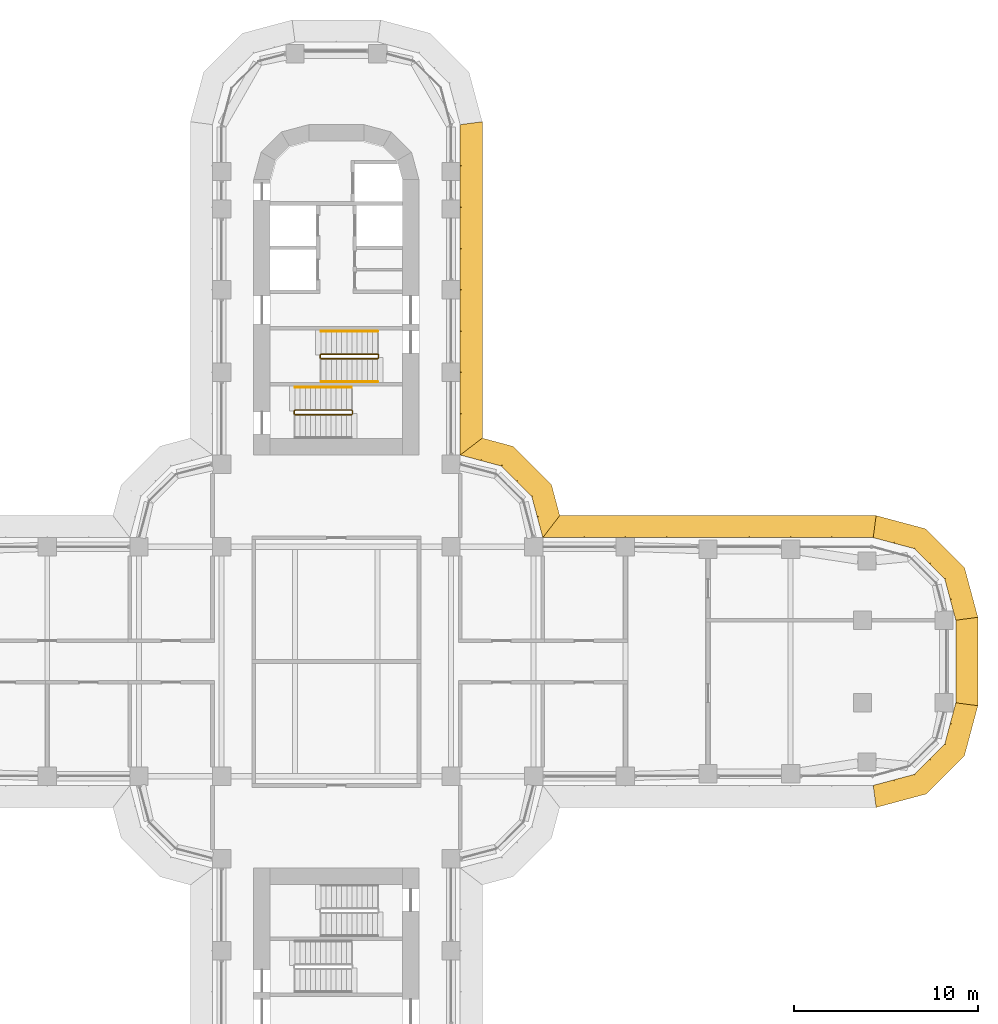
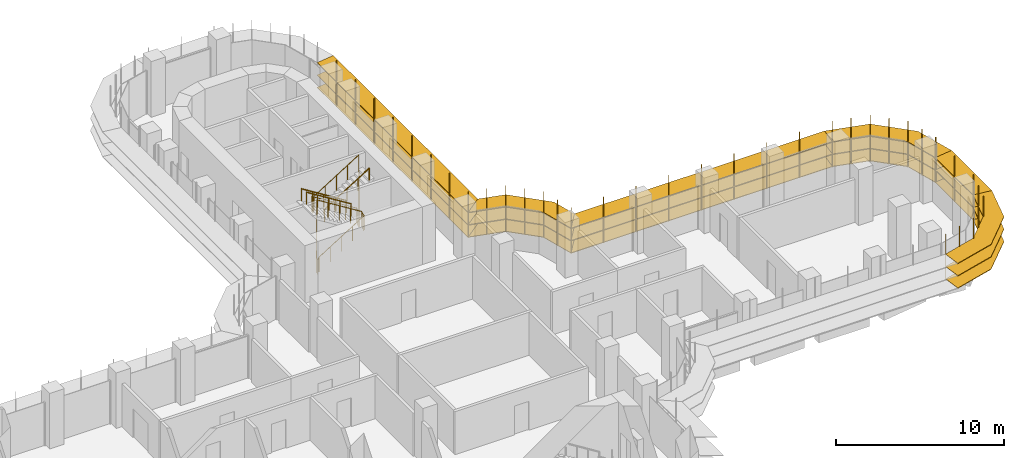
# One storey, part 22 of 23: 6 shading devices, 5 railings.
"""IFC4 building model written with IfcOpenShell, lengths in metres."""

import ifcopenshell
import ifcopenshell.guid

model = None  # the IFC model being written
_history = None  # IfcOwnerHistory: only IFC2X3 demands one
_inside = {}  # id of a spatial element -> (the spatial element, [elements in it])
_under = {}  # id of a project, library or spatial element -> (it, [spatial elements below it])
_declared = {}  # id of a project -> (the project, [libraries it declares])
_typed = {}  # id of a type object -> (the type object, [elements of that type])
_made_of = {}  # id of a material, layer set ... -> (it, [elements and type objects made of it])


def new_model(schema):
    """Start an empty IFC model of exactly this schema.

    Asked for "IFC4X3", IfcOpenShell would pick the latest addendum, in which some entities
    have other attributes; the version numbers below select the first issue.
    IFC2X3 requires an IfcOwnerHistory on every rooted entity: one is made here for all.
    """
    global model, _history
    if schema == "IFC4X3":
        model = ifcopenshell.file(schema_version=(4, 3, 0, 0))
    else:
        model = ifcopenshell.file(schema=schema)
    _inside.clear()
    _under.clear()
    _declared.clear()
    _typed.clear()
    _made_of.clear()
    _history = None
    if model.schema == "IFC2X3":
        org = make("IfcOrganization", Name="unknown")
        user = make(
            "IfcPersonAndOrganization",
            ThePerson=make("IfcPerson", FamilyName="unknown"),
            TheOrganization=org,
        )
        app = make(
            "IfcApplication",
            ApplicationDeveloper=org,
            Version="unknown",
            ApplicationFullName="unknown",
            ApplicationIdentifier="unknown",
        )
        _history = make(
            "IfcOwnerHistory",
            OwningUser=user,
            OwningApplication=app,
            ChangeAction="ADDED",
            CreationDate=0,
        )
    return model


def make(cls, **values):
    """One entity of the class cls with the attributes given. An attribute that is None is left unset."""
    return model.create_entity(
        cls, **{name: value for name, value in values.items() if value is not None}
    )


def rooted(cls, **values):
    """An entity with a GlobalId (a new one), such as an element, a storey or a relation."""
    return make(cls, GlobalId=ifcopenshell.guid.new(), OwnerHistory=_history, **values)


def si_unit(unit_type, name, prefix=None):
    """IfcSIUnit, for example si_unit("LENGTHUNIT", "METRE", prefix="MILLI")."""
    return make("IfcSIUnit", UnitType=unit_type, Prefix=prefix, Name=name)


def assignment(units):
    """IfcUnitAssignment: the units of a project."""
    return None if units is None else make("IfcUnitAssignment", Units=units)


def point(xyz):
    """IfcCartesianPoint."""
    return None if xyz is None else make("IfcCartesianPoint", Coordinates=xyz)


def direction(xyz):
    """IfcDirection."""
    return None if xyz is None else make("IfcDirection", DirectionRatios=xyz)


def frame(location, z_axis=None, x_axis=None):
    """IfcAxis2Placement3D, a coordinate frame: its origin and axes. An axis left out is left unset."""
    return make(
        "IfcAxis2Placement3D",
        Location=point(location),
        Axis=direction(z_axis),
        RefDirection=direction(x_axis),
    )


def frame_2d(location, x_axis=None):
    """IfcAxis2Placement2D, a coordinate frame in the plane: its origin and x axis."""
    return make(
        "IfcAxis2Placement2D", Location=point(location), RefDirection=direction(x_axis)
    )


def origin():
    """The frame at (0, 0, 0) with its axes left unset."""
    return frame((0.0, 0.0, 0.0))


def origin_2d():
    """The frame at (0, 0) in the plane with its x axis left unset."""
    return frame_2d((0.0, 0.0))


def place(relative_to, where):
    """IfcLocalPlacement: puts the frame where relative to a parent placement (None: the world)."""
    return make(
        "IfcLocalPlacement", PlacementRelTo=relative_to, RelativePlacement=where
    )


def context(
    kind, dimensions, precision=None, world=None, true_north=None, identifier=None
):
    """IfcGeometricRepresentationContext, for example the 3D "Model" context."""
    return make(
        "IfcGeometricRepresentationContext",
        ContextIdentifier=identifier,
        ContextType=kind,
        CoordinateSpaceDimension=dimensions,
        Precision=precision,
        WorldCoordinateSystem=world,
        TrueNorth=true_north,
    )


def subcontext(parent, identifier, kind, view, scale=None):
    """IfcGeometricRepresentationSubContext, for example "Body" below "Model"."""
    return make(
        "IfcGeometricRepresentationSubContext",
        ContextIdentifier=identifier,
        ContextType=kind,
        ParentContext=parent,
        TargetScale=scale,
        TargetView=view,
    )


def project(units=None, contexts=None):
    """IfcProject with its units and contexts."""
    return rooted(
        "IfcProject",
        Name="project",
        RepresentationContexts=contexts,
        UnitsInContext=assignment(units),
    )


def spatial(cls, under=None, at=None, **own):
    """A site, building, storey or space (cls), placed at a placement, below another one or the project."""
    s = rooted(cls, ObjectPlacement=at, **own)
    if under is not None:
        _under.setdefault(under.id(), (under, []))[1].append(s)
    return s


def polyline(points):
    """IfcPolyline through the points."""
    return make("IfcPolyline", Points=[point(p) for p in points])


def profile(cls, at=None, kind="AREA", **sizes):
    """A parametric profile (cls). Its sizes go by their IFC names, for example OverallWidth=200.0."""
    return make(cls, ProfileType=kind, Position=at, **sizes)


def circle(**sizes):
    """IfcCircleProfileDef."""
    return profile("IfcCircleProfileDef", **sizes)


def outline(outer, holes=None, kind="AREA"):
    """IfcArbitraryClosedProfileDef: a profile drawn as a closed curve; with holes, ...WithVoids."""
    if holes is None:
        return make("IfcArbitraryClosedProfileDef", ProfileType=kind, OuterCurve=outer)
    return make(
        "IfcArbitraryProfileDefWithVoids",
        ProfileType=kind,
        OuterCurve=outer,
        InnerCurves=holes,
    )


def extrude(swept, where, along, depth):
    """IfcExtrudedAreaSolid: the profile swept, set in the frame where, extruded along a direction by depth."""
    return make(
        "IfcExtrudedAreaSolid",
        SweptArea=swept,
        Position=where,
        ExtrudedDirection=direction(along),
        Depth=depth,
    )


def faces_of(points, faces, orient=None, outer=None):
    """IfcFace entities. A face is a list of loops; a loop is a list of indices into points, from 0.

    orient and outer hold one flag for each loop. By default every Orientation is true, the
    first loop of a face is its IfcFaceOuterBound and the others are IfcFaceBound.
    """
    made = []
    for i, loops in enumerate(faces):
        bounds = []
        for j, loop in enumerate(loops):
            is_outer = j == 0 if outer is None else outer[i][j]
            bounds.append(
                make(
                    "IfcFaceOuterBound" if is_outer else "IfcFaceBound",
                    Bound=make("IfcPolyLoop", Polygon=[points[k] for k in loop]),
                    Orientation=True if orient is None else orient[i][j],
                )
            )
        made.append(make("IfcFace", Bounds=bounds))
    return made


def faceted_brep(points, faces, orient=None, outer=None, voids=None):
    """IfcFacetedBrep: a solid bounded by flat faces; with voids (closed shells), ...WithVoids."""
    shared = [point(p) for p in points]
    hull = make("IfcClosedShell", CfsFaces=faces_of(shared, faces, orient, outer))
    if voids is None:
        return make("IfcFacetedBrep", Outer=hull)
    return make(
        "IfcFacetedBrepWithVoids",
        Outer=hull,
        Voids=[
            make(cls, CfsFaces=faces_of(shared, fs, o, b)) for cls, fs, o, b in voids
        ],
    )


def shape(context_of_items, identifier, shape_type, items):
    """IfcShapeRepresentation: the items that make up one representation, for example the "Body"."""
    return make(
        "IfcShapeRepresentation",
        ContextOfItems=context_of_items,
        RepresentationIdentifier=identifier,
        RepresentationType=shape_type,
        Items=items,
    )


def source(mapping_origin, context_of_items, identifier, shape_type, items):
    """IfcRepresentationMap: a shape defined once, which mapped items show again and again."""
    return make(
        "IfcRepresentationMap",
        MappingOrigin=mapping_origin,
        MappedRepresentation=shape(context_of_items, identifier, shape_type, items),
    )


def transform(
    local_origin,
    x_axis=None,
    y_axis=None,
    z_axis=None,
    scale=None,
    scale2=None,
    scale3=None,
    uniform=True,
):
    """IfcCartesianTransformationOperator3D, or its non-uniform kind. x_axis, y_axis, z_axis: its Axis1, 2, 3."""
    if uniform:
        return make(
            "IfcCartesianTransformationOperator3D",
            Axis1=direction(x_axis),
            Axis2=direction(y_axis),
            LocalOrigin=point(local_origin),
            Scale=scale,
            Axis3=direction(z_axis),
        )
    return make(
        "IfcCartesianTransformationOperator3DnonUniform",
        Axis1=direction(x_axis),
        Axis2=direction(y_axis),
        LocalOrigin=point(local_origin),
        Scale=scale,
        Axis3=direction(z_axis),
        Scale2=scale2,
        Scale3=scale3,
    )


def mapped(mapping_source, mapping_target):
    """IfcMappedItem: shows the shape of a source again, moved by a transform."""
    return make(
        "IfcMappedItem", MappingSource=mapping_source, MappingTarget=mapping_target
    )


def material(Name=None, Category=None):
    """IfcMaterial."""
    return make("IfcMaterial", Name=Name, Category=Category)


def made_of(thing, what):
    """Note that an element or type object is made of a material, layer set ...; save() writes the relation."""
    if what is not None:
        _made_of.setdefault(what.id(), (what, []))[1].append(thing)
    return thing


def type_object(cls, material=None, **own):
    """A type object (cls), such as IfcWallType, which elements share."""
    return made_of(rooted(cls, **own), material)


def element(
    cls,
    number,
    at=None,
    inside=None,
    cuts=None,
    type_object=None,
    material=None,
    context=None,
    identifier="Body",
    shape_type=None,
    held_by="IfcProductDefinitionShape",
    body=None,
    shapes=None,
    **own,
):
    """One element of the class cls, such as IfcWall. Its Tag is "e" and its number.

    at: its placement. inside: the storey or other place that contains it. cuts: it is an
    opening in that element (IfcRelVoidsElement). A single representation is given by context,
    identifier, shape_type and body (its items); several are given by shapes. held_by: the class
    of the entity that holds the representations. save() writes the other relations.
    """
    e = rooted(cls, Tag="e%d" % number, ObjectPlacement=at, **own)
    if body is not None:
        shapes = [shape(context, identifier, shape_type, body)]
    if shapes is not None:
        e.Representation = make(held_by, Representations=shapes)
    if inside is not None:
        _inside.setdefault(inside.id(), (inside, []))[1].append(e)
    if cuts is not None:
        rooted(
            "IfcRelVoidsElement", RelatingBuildingElement=cuts, RelatedOpeningElement=e
        )
    if type_object is not None:
        _typed.setdefault(type_object.id(), (type_object, []))[1].append(e)
    return made_of(e, material)


def aggregate(whole, parts):
    """IfcRelAggregates: a whole, such as a stair, and the parts it consists of."""
    return rooted("IfcRelAggregates", RelatingObject=whole, RelatedObjects=parts)


def save(model, path):
    """Write the relations noted so far, then the file.

    IfcRelAggregates (storeys below a building ...), IfcRelContainedInSpatialStructure (elements
    in a storey), IfcRelDefinesByType, IfcRelAssociatesMaterial and IfcRelDeclares: one each for
    every whole, place, type object, material and project.
    """
    for whole, parts in _under.values():
        aggregate(whole, parts)
    for where, things in _inside.values():
        rooted(
            "IfcRelContainedInSpatialStructure",
            RelatedElements=things,
            RelatingStructure=where,
        )
    for kind, things in _typed.values():
        rooted("IfcRelDefinesByType", RelatedObjects=things, RelatingType=kind)
    for what, things in _made_of.values():
        rooted("IfcRelAssociatesMaterial", RelatedObjects=things, RelatingMaterial=what)
    for by, libraries in _declared.values():
        rooted("IfcRelDeclares", RelatingContext=by, RelatedDefinitions=libraries)
    model.write(path)


model = new_model("IFC4")

# Units and contexts
model_context = context("Model", 3, precision=1e-05, world=origin(), true_north=direction((0.0, 1.0)))
body_context = subcontext(model_context, "Body", "Model", "MODEL_VIEW")
ifc_project = project(units=[si_unit("LENGTHUNIT", "METRE"), si_unit("AREAUNIT", "SQUARE_METRE"), si_unit("VOLUMEUNIT", "CUBIC_METRE"), si_unit("PLANEANGLEUNIT", "RADIAN"), si_unit("MASSUNIT", "GRAM", prefix="KILO")], contexts=[model_context])

# Site, building, storey
site_placement = place(None, origin())
site = spatial("IfcSite", under=ifc_project, at=site_placement, CompositionType="ELEMENT")
building_placement = place(site_placement, origin())
building = spatial("IfcBuilding", under=site, at=building_placement, Name="Zarbagh Exchange Tower", CompositionType="ELEMENT")
storey_placement = place(building_placement, frame((0.0, 0.0, 43.800048828125)))
storey = spatial("IfcBuildingStorey", under=building, at=storey_placement, Name="L09", CompositionType="ELEMENT", Elevation=43.800048828125)

# Railings
ifc_material_1 = material(Name="Stainless steel", Category="steel")
railing_type_1 = type_object("IfcRailingType", Name="Stair guard 1100 mm", PredefinedType="GUARDRAIL", material=ifc_material_1)
railing_1_placement = place(storey_placement, frame((-0.830078125, 16.5, 2.27490234375)))
element("IfcRailing", 1, at=railing_1_placement, inside=storey, type_object=railing_type_1, Name="ST1 stair guard 1", PredefinedType="GUARDRAIL", context=body_context, shape_type="SweptSolid", body=[
    extrude(circle(Radius=0.02392578125, at=origin_2d()), frame((0.0, 0.0, 1.076171875), z_axis=(0.847998304005, 0.0, 0.529998940003), x_axis=(0.0, 1.0, 0.0)), (0.0, 0.0, 1.0), 3.632080078125),
    extrude(circle(Radius=0.02392578125, at=origin_2d()), frame((3.080078125, 0.0, 3.0009765625), z_axis=(0.011914834358, 0.011914834358, -0.999858026644), x_axis=(-0.707106781187, 0.707106781187, 0.0)), (0.0, 0.0, 1.0), 4.200439453125),
    extrude(circle(Radius=0.02392578125, at=origin_2d()), frame((3.130126953125, 0.050048828125, -1.19873046875), z_axis=(0.0, 1.0, 0.0), x_axis=(-1.0, 0.0, 0.0)), (0.0, 0.0, 1.0), 0.14990234375),
    extrude(circle(Radius=0.02392578125, at=origin_2d()), frame((3.130126953125, 0.199951171875, -1.19873046875), z_axis=(-0.265065253269, 0.265065253269, 0.927081885822), x_axis=(-0.707106781187, -0.707106781187, 0.0)), (0.0, 0.0, 1.0), 0.188720703125),
    extrude(circle(Radius=0.02392578125, at=origin_2d()), frame((3.080078125, 0.25, -1.02392578125), z_axis=(-0.848028513186, 0.0, 0.529950602248), x_axis=(0.0, -1.0, 0.0)), (0.0, 0.0, 1.0), 3.632080078125),
    extrude(circle(Radius=0.02392578125, at=origin_2d()), frame((0.0, 0.25, 0.90087890625), z_axis=(-0.705375805398, -0.708833529934, 0.0), x_axis=(0.708833529934, -0.705375805398, 0.0)), (0.0, 0.0, 1.0), 0.070556640625),
    extrude(circle(Radius=0.02392578125, at=origin_2d()), frame((-0.0498046875, 0.199951171875, 0.90087890625), z_axis=(0.0, -1.0, 0.0), x_axis=(1.0, 0.0, 0.0)), (0.0, 0.0, 1.0), 0.14990234375),
    extrude(circle(Radius=0.02099609375, at=origin_2d()), origin(), (0.0, 0.0, 1.0), 1.052001953125),
    extrude(circle(Radius=0.02099609375, at=origin_2d()), frame((0.77001953125, 0.0, 0.481201171875)), (0.0, 0.0, 1.0), 1.052001953125),
    extrude(circle(Radius=0.02099609375, at=origin_2d()), frame((1.5400390625, 0.0, 0.96240234375)), (0.0, 0.0, 1.0), 1.052001953125),
    extrude(circle(Radius=0.02099609375, at=origin_2d()), frame((2.31005859375, 0.0, 1.44384765625)), (0.0, 0.0, 1.0), 1.052001953125),
    extrude(circle(Radius=0.02099609375, at=origin_2d()), frame((3.080078125, 0.0, 1.925048828125)), (0.0, 0.0, 1.0), 1.052001953125),
    extrude(circle(Radius=0.02099609375, at=origin_2d()), frame((3.092529296875, 0.012451171875, 0.875)), (0.0, 0.0, 1.0), 1.052001953125),
    extrude(circle(Radius=0.02099609375, at=origin_2d()), frame((3.10498046875, 0.02490234375, -0.1748046875)), (0.0, 0.0, 1.0), 1.052001953125),
    extrude(circle(Radius=0.02099609375, at=origin_2d()), frame((3.11767578125, 0.03759765625, -1.224853515625)), (0.0, 0.0, 1.0), 1.052001953125),
    extrude(circle(Radius=0.02099609375, at=origin_2d()), frame((3.130126953125, 0.050048828125, -2.27490234375)), (0.0, 0.0, 1.0), 1.052001953125),
    extrude(circle(Radius=0.02099609375, at=origin_2d()), frame((3.130126953125, 0.199951171875, -2.27490234375)), (0.0, 0.0, 1.0), 1.052001953125),
    extrude(circle(Radius=0.02099609375, at=origin_2d()), frame((3.080078125, 0.25, -2.099853515625)), (0.0, 0.0, 1.0), 1.052001953125),
    extrude(circle(Radius=0.02099609375, at=origin_2d()), frame((2.31005859375, 0.25, -1.61865234375)), (0.0, 0.0, 1.0), 1.052001953125),
    extrude(circle(Radius=0.02099609375, at=origin_2d()), frame((1.5400390625, 0.25, -1.137451171875)), (0.0, 0.0, 1.0), 1.052001953125),
    extrude(circle(Radius=0.02099609375, at=origin_2d()), frame((0.77001953125, 0.25, -0.65625)), (0.0, 0.0, 1.0), 1.052001953125),
    extrude(circle(Radius=0.02099609375, at=origin_2d()), frame((0.0, 0.25, -0.175048828125)), (0.0, 0.0, 1.0), 1.052001953125),
    extrude(circle(Radius=0.02099609375, at=origin_2d()), frame((-0.0498046875, 0.199951171875, -0.175048828125)), (0.0, 0.0, 1.0), 1.052001953125),
    extrude(circle(Radius=0.02099609375, at=origin_2d()), frame((-0.0498046875, 0.050048828125, -0.175048828125)), (0.0, 0.0, 1.0), 1.052001953125),
])
railing_2_placement = place(storey_placement, frame((0.8798828125, 13.5, 2.099853515625)))
element("IfcRailing", 2, at=railing_2_placement, inside=storey, type_object=railing_type_1, Name="ST2 stair guard 1", PredefinedType="GUARDRAIL", context=body_context, shape_type="SweptSolid", body=[
    extrude(circle(Radius=0.02392578125, at=origin_2d()), frame((0.0, 0.0, 1.076171875), z_axis=(0.0, 1.0, 0.0), x_axis=(-1.0, 0.0, 0.0)), (0.0, 0.0, 1.0), 0.14990234375),
    extrude(circle(Radius=0.02392578125, at=origin_2d()), frame((0.0, 0.14990234375, 1.076171875), z_axis=(-0.263862480399, 0.265155923931, 0.927399011991), x_axis=(-0.708833529934, -0.705375805398, 0.0)), (0.0, 0.0, 1.0), 0.188720703125),
    extrude(circle(Radius=0.02392578125, at=origin_2d()), frame((-0.0498046875, 0.199951171875, 1.2509765625), z_axis=(-0.847998304005, 0.0, 0.529998940003), x_axis=(0.0, -1.0, 0.0)), (0.0, 0.0, 1.0), 3.632080078125),
    extrude(circle(Radius=0.02392578125, at=origin_2d()), frame((-3.1298828125, 0.199951171875, 3.17626953125), z_axis=(-0.011914834358, -0.011914834358, -0.999858026644), x_axis=(0.707106781187, -0.707106781187, 0.0)), (0.0, 0.0, 1.0), 4.200439453125),
    extrude(circle(Radius=0.02392578125, at=origin_2d()), frame((-3.179931640625, 0.14990234375, -1.02392578125), z_axis=(0.0, -1.0, 0.0), x_axis=(1.0, 0.0, 0.0)), (0.0, 0.0, 1.0), 0.14990234375),
    extrude(circle(Radius=0.02392578125, at=origin_2d()), frame((-3.179931640625, 0.0, -1.02392578125), z_axis=(0.265065253269, -0.265065253269, 0.927081885822), x_axis=(0.707106781187, 0.707106781187, 0.0)), (0.0, 0.0, 1.0), 0.188720703125),
    extrude(circle(Radius=0.02392578125, at=origin_2d()), frame((-3.1298828125, -0.050048828125, -0.8486328125), z_axis=(0.848028513186, 0.0, 0.529950602248), x_axis=(0.0, 1.0, 0.0)), (0.0, 0.0, 1.0), 3.632080078125),
    extrude(circle(Radius=0.02099609375, at=origin_2d()), origin(), (0.0, 0.0, 1.0), 1.052001953125),
    extrude(circle(Radius=0.02099609375, at=origin_2d()), frame((0.0, 0.14990234375, 0.0)), (0.0, 0.0, 1.0), 1.052001953125),
    extrude(circle(Radius=0.02099609375, at=origin_2d()), frame((-0.0498046875, 0.199951171875, 0.175048828125)), (0.0, 0.0, 1.0), 1.052001953125),
    extrude(circle(Radius=0.02099609375, at=origin_2d()), frame((-0.81982421875, 0.199951171875, 0.65625)), (0.0, 0.0, 1.0), 1.052001953125),
    extrude(circle(Radius=0.02099609375, at=origin_2d()), frame((-1.58984375, 0.199951171875, 1.1376953125)), (0.0, 0.0, 1.0), 1.052001953125),
    extrude(circle(Radius=0.02099609375, at=origin_2d()), frame((-2.35986328125, 0.199951171875, 1.618896484375)), (0.0, 0.0, 1.0), 1.052001953125),
    extrude(circle(Radius=0.02099609375, at=origin_2d()), frame((-3.1298828125, 0.199951171875, 2.10009765625)), (0.0, 0.0, 1.0), 1.052001953125),
    extrude(circle(Radius=0.02099609375, at=origin_2d()), frame((-3.142333984375, 0.1875, 1.050048828125)), (0.0, 0.0, 1.0), 1.052001953125),
    extrude(circle(Radius=0.02099609375, at=origin_2d()), frame((-3.15478515625, 0.1748046875, 0.0)), (0.0, 0.0, 1.0), 1.052001953125),
    extrude(circle(Radius=0.02099609375, at=origin_2d()), frame((-3.16748046875, 0.162353515625, -1.0498046875)), (0.0, 0.0, 1.0), 1.052001953125),
    extrude(circle(Radius=0.02099609375, at=origin_2d()), frame((-3.179931640625, 0.14990234375, -2.099853515625)), (0.0, 0.0, 1.0), 1.052001953125),
    extrude(circle(Radius=0.02099609375, at=origin_2d()), frame((-3.179931640625, 0.0, -2.099853515625)), (0.0, 0.0, 1.0), 1.052001953125),
    extrude(circle(Radius=0.02099609375, at=origin_2d()), frame((-3.1298828125, -0.050048828125, -1.9248046875)), (0.0, 0.0, 1.0), 1.052001953125),
    extrude(circle(Radius=0.02099609375, at=origin_2d()), frame((-2.35986328125, -0.050048828125, -1.443603515625)), (0.0, 0.0, 1.0), 1.052001953125),
    extrude(circle(Radius=0.02099609375, at=origin_2d()), frame((-1.58984375, -0.050048828125, -0.96240234375)), (0.0, 0.0, 1.0), 1.052001953125),
    extrude(circle(Radius=0.02099609375, at=origin_2d()), frame((-0.81982421875, -0.050048828125, -0.481201171875)), (0.0, 0.0, 1.0), 1.052001953125),
    extrude(circle(Radius=0.02099609375, at=origin_2d()), frame((-0.0498046875, -0.050048828125, 0.0)), (0.0, 0.0, 1.0), 1.052001953125),
])
railing_type_2 = type_object("IfcRailingType", Name="Stair handrail 900 mm", PredefinedType="HANDRAIL", material=ifc_material_1)
railing_3_placement = place(storey_placement, frame((2.25, 18.0, 0.175048828125)))
element("IfcRailing", 3, at=railing_3_placement, inside=storey, type_object=railing_type_2, Name="ST1 stair handrail 1", PredefinedType="HANDRAIL", context=body_context, shape_type="SweptSolid", body=[
    extrude(circle(Radius=0.02392578125, at=origin_2d()), frame((0.0, 0.0, 0.8759765625), z_axis=(-0.848028513186, 0.0, 0.529950602248), x_axis=(0.0, -1.0, 0.0)), (0.0, 0.0, 1.0), 3.632080078125),
    extrude(circle(Radius=0.02099609375, at=origin_2d()), origin(), (0.0, 0.0, 1.0), 0.851806640625),
    extrude(circle(Radius=0.02099609375, at=origin_2d()), frame((-0.77001953125, 0.0, 0.481201171875)), (0.0, 0.0, 1.0), 0.851806640625),
    extrude(circle(Radius=0.02099609375, at=origin_2d()), frame((-1.5400390625, 0.0, 0.96240234375)), (0.0, 0.0, 1.0), 0.851806640625),
    extrude(circle(Radius=0.02099609375, at=origin_2d()), frame((-2.31005859375, 0.0, 1.443603515625)), (0.0, 0.0, 1.0), 0.851806640625),
    extrude(circle(Radius=0.02099609375, at=origin_2d()), frame((-3.080078125, 0.0, 1.9248046875)), (0.0, 0.0, 1.0), 0.851806640625),
])
railing_4_placement = place(storey_placement, frame((-0.830078125, 15.25, 2.27490234375)))
element("IfcRailing", 4, at=railing_4_placement, inside=storey, type_object=railing_type_2, Name="ST1 stair handrail 2", PredefinedType="HANDRAIL", context=body_context, shape_type="SweptSolid", body=[
    extrude(circle(Radius=0.02392578125, at=origin_2d()), frame((0.0, 0.0, 0.8759765625), z_axis=(0.847998304005, 0.0, 0.529998940003), x_axis=(0.0, 1.0, 0.0)), (0.0, 0.0, 1.0), 3.632080078125),
    extrude(circle(Radius=0.02099609375, at=origin_2d()), origin(), (0.0, 0.0, 1.0), 0.851806640625),
    extrude(circle(Radius=0.02099609375, at=origin_2d()), frame((0.77001953125, 0.0, 0.481201171875)), (0.0, 0.0, 1.0), 0.851806640625),
    extrude(circle(Radius=0.02099609375, at=origin_2d()), frame((1.5400390625, 0.0, 0.96240234375)), (0.0, 0.0, 1.0), 0.851806640625),
    extrude(circle(Radius=0.02099609375, at=origin_2d()), frame((2.31005859375, 0.0, 1.44384765625)), (0.0, 0.0, 1.0), 0.851806640625),
    extrude(circle(Radius=0.02099609375, at=origin_2d()), frame((3.080078125, 0.0, 1.925048828125)), (0.0, 0.0, 1.0), 0.851806640625),
])
railing_5_placement = place(storey_placement, frame((0.830078125, 14.949951171875, 2.27490234375)))
element("IfcRailing", 5, at=railing_5_placement, inside=storey, type_object=railing_type_2, Name="ST2 stair handrail 2", PredefinedType="HANDRAIL", context=body_context, shape_type="SweptSolid", body=[
    extrude(circle(Radius=0.02392578125, at=origin_2d()), frame((0.0, 0.0, 0.8759765625), z_axis=(-0.847998304005, 0.0, 0.529998940003), x_axis=(0.0, -1.0, 0.0)), (0.0, 0.0, 1.0), 3.632080078125),
    extrude(circle(Radius=0.02099609375, at=origin_2d()), origin(), (0.0, 0.0, 1.0), 0.851806640625),
    extrude(circle(Radius=0.02099609375, at=origin_2d()), frame((-0.77001953125, 0.0, 0.481201171875)), (0.0, 0.0, 1.0), 0.851806640625),
    extrude(circle(Radius=0.02099609375, at=origin_2d()), frame((-1.5400390625, 0.0, 0.96240234375)), (0.0, 0.0, 1.0), 0.851806640625),
    extrude(circle(Radius=0.02099609375, at=origin_2d()), frame((-2.31005859375, 0.0, 1.44384765625)), (0.0, 0.0, 1.0), 0.851806640625),
    extrude(circle(Radius=0.02099609375, at=origin_2d()), frame((-3.080078125, 0.0, 1.925048828125)), (0.0, 0.0, 1.0), 0.851806640625),
])

# Shading devices
ifc_material_2 = material(Name="Anodised aluminium blades and brackets", Category="aluminium")
shading_device_type = type_object("IfcShadingDeviceType", Name="SUNSHADE louvre band, 0 degree blades", PredefinedType="JALOUSIE", material=ifc_material_2)
shared_shape_1 = source(origin(), body_context, "Body", "Brep", [
    faceted_brep([(0.0, 0.0, 0.0), (0.0, 0.0, -0.0400390625), (-0.157958984375, -1.199951171875, -0.0400390625), (-0.157958984375, -1.199951171875, 0.0), (2.65087890625, -1.199951171875, 0.0), (2.65087890625, -1.199951171875, -0.0400390625), (2.329345703125, 0.0, -0.0400390625), (2.329345703125, 0.0, 0.0)], [[[0, 1, 2, 3]], [[4, 5, 6, 7]], [[0, 7, 6, 1]], [[1, 6, 5, 2]], [[2, 5, 4, 3]], [[3, 4, 7, 0]]]),
])
shared_shape_2 = source(origin(), body_context, "Body", "Brep", [
    faceted_brep([(0.0, 0.0, 0.0), (0.0, 0.0, -0.0400390625), (-0.321533203125, -1.199951171875, -0.0400390625), (-0.321533203125, -1.199951171875, 0.0), (2.65087890625, -1.199951171875, 0.0), (2.65087890625, -1.199951171875, -0.0400390625), (2.329345703125, 0.0, -0.0400390625), (2.329345703125, 0.0, 0.0)], [[[0, 1, 2, 3]], [[4, 5, 6, 7]], [[0, 7, 6, 1]], [[1, 6, 5, 2]], [[2, 5, 4, 3]], [[3, 4, 7, 0]]]),
])
shared_shape_3 = source(origin(), body_context, "Body", "Brep", [
    faceted_brep([(0.0, 0.0, 0.0), (0.0, 0.0, -0.0400390625), (-0.321533203125, -1.199951171875, -0.0400390625), (-0.321533203125, -1.199951171875, 0.0), (2.4873046875, -1.199951171875, 0.0), (2.4873046875, -1.199951171875, -0.0400390625), (2.329345703125, 0.0, -0.0400390625), (2.329345703125, 0.0, 0.0)], [[[0, 1, 2, 3]], [[4, 5, 6, 7]], [[0, 7, 6, 1]], [[1, 6, 5, 2]], [[2, 5, 4, 3]], [[3, 4, 7, 0]]]),
])
shared_shape_4 = source(origin(), body_context, "Body", "SweptSolid", [
    extrude(outline(polyline([(0.0, -0.012451171875), (0.06005859375, -0.012451171875), (0.06005859375, 0.012451171875), (0.0, 0.012451171875), (0.0, -0.012451171875)])), origin(), (0.0, 0.0, 1.0), 3.35009765625),
])
placement = place(storey_placement, origin())
element("IfcShadingDevice", 6, at=placement, inside=storey, type_object=shading_device_type, Name="SS05 sunshade band", PredefinedType="JALOUSIE", context=body_context, shape_type="MappedRepresentation", body=[
    mapped(shared_shape_1, transform((29.25, -6.75, 2.699951171875), x_axis=(0.965924289636, 0.258824779902, 0.0), y_axis=(-0.258824779902, 0.965924289636, 0.0), z_axis=(0.0, 0.0, 1.0))),
    mapped(shared_shape_1, transform((29.25, -6.75, 1.800048828125), x_axis=(0.965924289636, 0.258824779902, 0.0), y_axis=(-0.258824779902, 0.965924289636, 0.0), z_axis=(0.0, 0.0, 1.0))),
    mapped(shared_shape_1, transform((29.25, -6.75, 0.89990234375), x_axis=(0.965924289636, 0.258824779902, 0.0), y_axis=(-0.258824779902, 0.965924289636, 0.0), z_axis=(0.0, 0.0, 1.0))),
    mapped(shared_shape_2, transform((31.5, -6.147216796875, 2.699951171875), x_axis=(0.707106781187, 0.707106781187, 0.0), y_axis=(-0.707106781187, 0.707106781187, 0.0), z_axis=(0.0, 0.0, 1.0))),
    mapped(shared_shape_2, transform((31.5, -6.147216796875, 1.800048828125), x_axis=(0.707106781187, 0.707106781187, 0.0), y_axis=(-0.707106781187, 0.707106781187, 0.0), z_axis=(0.0, 0.0, 1.0))),
    mapped(shared_shape_2, transform((31.5, -6.147216796875, 0.89990234375), x_axis=(0.707106781187, 0.707106781187, 0.0), y_axis=(-0.707106781187, 0.707106781187, 0.0), z_axis=(0.0, 0.0, 1.0))),
    mapped(shared_shape_3, transform((33.147216796875, -4.5, 2.699951171875), x_axis=(0.258824779902, 0.965924289636, 0.0), y_axis=(-0.965924289636, 0.258824779902, 0.0), z_axis=(0.0, 0.0, 1.0))),
    mapped(shared_shape_3, transform((33.147216796875, -4.5, 1.800048828125), x_axis=(0.258824779902, 0.965924289636, 0.0), y_axis=(-0.965924289636, 0.258824779902, 0.0), z_axis=(0.0, 0.0, 1.0))),
    mapped(shared_shape_3, transform((33.147216796875, -4.5, 0.89990234375), x_axis=(0.258824779902, 0.965924289636, 0.0), y_axis=(-0.965924289636, 0.258824779902, 0.0), z_axis=(0.0, 0.0, 1.0))),
    mapped(shared_shape_4, transform((29.25, -6.75, 0.829833984375), x_axis=(0.130529263012, -0.991444457092, 0.0), y_axis=(0.991444457092, 0.130529263012, 0.0), z_axis=(0.0, 0.0, 1.0))),
    mapped(shared_shape_4, transform((30.375, -6.448486328125, 0.829833984375), x_axis=(0.258825058029, -0.96592421511, 0.0), y_axis=(0.96592421511, 0.258825058029, 0.0), z_axis=(0.0, 0.0, 1.0))),
    mapped(shared_shape_4, transform((31.5, -6.147216796875, 0.829833984375), x_axis=(0.50000275701, -0.866023812018, 0.0), y_axis=(0.866023812018, 0.50000275701, 0.0), z_axis=(0.0, 0.0, 1.0))),
    mapped(shared_shape_4, transform((32.323486328125, -5.323486328125, 0.829833984375), x_axis=(0.707106781187, -0.707106781187, 0.0), y_axis=(0.707106781187, 0.707106781187, 0.0), z_axis=(0.0, 0.0, 1.0))),
    mapped(shared_shape_4, transform((33.147216796875, -4.5, 0.829833984375), x_axis=(0.866023812018, -0.50000275701, 0.0), y_axis=(0.50000275701, 0.866023812018, 0.0), z_axis=(0.0, 0.0, 1.0))),
    mapped(shared_shape_4, transform((33.448486328125, -3.375, 0.829833984375), x_axis=(0.96592421511, -0.258825058029, 0.0), y_axis=(0.258825058029, 0.96592421511, 0.0), z_axis=(0.0, 0.0, 1.0))),
])
element("IfcShadingDevice", 7, at=placement, inside=storey, type_object=shading_device_type, Name="SS07 sunshade band", PredefinedType="JALOUSIE", context=body_context, shape_type="MappedRepresentation", body=[
    mapped(shared_shape_1, transform((33.75, 2.25, 2.699951171875), x_axis=(-0.258824779902, 0.965924289636, 0.0), y_axis=(-0.965924289636, -0.258824779902, 0.0), z_axis=(0.0, 0.0, 1.0))),
    mapped(shared_shape_1, transform((33.75, 2.25, 1.800048828125), x_axis=(-0.258824779902, 0.965924289636, 0.0), y_axis=(-0.965924289636, -0.258824779902, 0.0), z_axis=(0.0, 0.0, 1.0))),
    mapped(shared_shape_1, transform((33.75, 2.25, 0.89990234375), x_axis=(-0.258824779902, 0.965924289636, 0.0), y_axis=(-0.965924289636, -0.258824779902, 0.0), z_axis=(0.0, 0.0, 1.0))),
    mapped(shared_shape_2, transform((33.147216796875, 4.5, 2.699951171875), x_axis=(-0.707106781187, 0.707106781187, 0.0), y_axis=(-0.707106781187, -0.707106781187, 0.0), z_axis=(0.0, 0.0, 1.0))),
    mapped(shared_shape_2, transform((33.147216796875, 4.5, 1.800048828125), x_axis=(-0.707106781187, 0.707106781187, 0.0), y_axis=(-0.707106781187, -0.707106781187, 0.0), z_axis=(0.0, 0.0, 1.0))),
    mapped(shared_shape_2, transform((33.147216796875, 4.5, 0.89990234375), x_axis=(-0.707106781187, 0.707106781187, 0.0), y_axis=(-0.707106781187, -0.707106781187, 0.0), z_axis=(0.0, 0.0, 1.0))),
    mapped(shared_shape_3, transform((31.5, 6.147216796875, 2.699951171875), x_axis=(-0.965924289636, 0.258824779902, 0.0), y_axis=(-0.258824779902, -0.965924289636, 0.0), z_axis=(0.0, 0.0, 1.0))),
    mapped(shared_shape_3, transform((31.5, 6.147216796875, 1.800048828125), x_axis=(-0.965924289636, 0.258824779902, 0.0), y_axis=(-0.258824779902, -0.965924289636, 0.0), z_axis=(0.0, 0.0, 1.0))),
    mapped(shared_shape_3, transform((31.5, 6.147216796875, 0.89990234375), x_axis=(-0.965924289636, 0.258824779902, 0.0), y_axis=(-0.258824779902, -0.965924289636, 0.0), z_axis=(0.0, 0.0, 1.0))),
    mapped(shared_shape_4, transform((33.75, 2.25, 0.829833984375), x_axis=(0.991444457092, 0.130529263012, 0.0), y_axis=(-0.130529263012, 0.991444457092, 0.0), z_axis=(0.0, 0.0, 1.0))),
    mapped(shared_shape_4, transform((33.448486328125, 3.375, 0.829833984375), x_axis=(0.96592421511, 0.258825058029, 0.0), y_axis=(-0.258825058029, 0.96592421511, 0.0), z_axis=(0.0, 0.0, 1.0))),
    mapped(shared_shape_4, transform((33.147216796875, 4.5, 0.829833984375), x_axis=(0.866023812018, 0.50000275701, 0.0), y_axis=(-0.50000275701, 0.866023812018, 0.0), z_axis=(0.0, 0.0, 1.0))),
    mapped(shared_shape_4, transform((32.323486328125, 5.323486328125, 0.829833984375), x_axis=(0.707106781187, 0.707106781187, 0.0), y_axis=(-0.707106781187, 0.707106781187, 0.0), z_axis=(0.0, 0.0, 1.0))),
    mapped(shared_shape_4, transform((31.5, 6.147216796875, 0.829833984375), x_axis=(0.50000275701, 0.866023812018, 0.0), y_axis=(-0.866023812018, 0.50000275701, 0.0), z_axis=(0.0, 0.0, 1.0))),
    mapped(shared_shape_4, transform((30.375, 6.448486328125, 0.829833984375), x_axis=(0.258825058029, 0.96592421511, 0.0), y_axis=(-0.96592421511, 0.258825058029, 0.0), z_axis=(0.0, 0.0, 1.0))),
])
shared_shape_5 = source(origin(), body_context, "Body", "Brep", [
    faceted_brep([(0.0, 0.0, 0.0), (0.0, 0.0, -0.0400390625), (0.9208984375, -1.199951171875, -0.0400390625), (0.9208984375, -1.199951171875, 0.0), (2.65087890625, -1.199951171875, 0.0), (2.65087890625, -1.199951171875, -0.0400390625), (2.329345703125, 0.0, -0.0400390625), (2.329345703125, 0.0, 0.0)], [[[0, 1, 2, 3]], [[4, 5, 6, 7]], [[0, 7, 6, 1]], [[1, 6, 5, 2]], [[2, 5, 4, 3]], [[3, 4, 7, 0]]]),
])
shared_shape_6 = source(origin(), body_context, "Body", "Brep", [
    faceted_brep([(0.0, 0.0, 0.0), (0.0, 0.0, -0.0400390625), (-0.321533203125, -1.199951171875, -0.0400390625), (-0.321533203125, -1.199951171875, 0.0), (1.40869140625, -1.199951171875, 0.0), (1.40869140625, -1.199951171875, -0.0400390625), (2.329345703125, 0.0, -0.0400390625), (2.329345703125, 0.0, 0.0)], [[[0, 1, 2, 3]], [[4, 5, 6, 7]], [[0, 7, 6, 1]], [[1, 6, 5, 2]], [[2, 5, 4, 3]], [[3, 4, 7, 0]]]),
])
element("IfcShadingDevice", 8, at=placement, inside=storey, type_object=shading_device_type, Name="SS09 sunshade band", PredefinedType="JALOUSIE", context=body_context, shape_type="MappedRepresentation", body=[
    mapped(shared_shape_5, transform((11.25, 6.75, 2.699951171875), x_axis=(-0.258824779902, 0.965924289636, 0.0), y_axis=(-0.965924289636, -0.258824779902, 0.0), z_axis=(0.0, 0.0, 1.0))),
    mapped(shared_shape_5, transform((11.25, 6.75, 1.800048828125), x_axis=(-0.258824779902, 0.965924289636, 0.0), y_axis=(-0.965924289636, -0.258824779902, 0.0), z_axis=(0.0, 0.0, 1.0))),
    mapped(shared_shape_5, transform((11.25, 6.75, 0.89990234375), x_axis=(-0.258824779902, 0.965924289636, 0.0), y_axis=(-0.965924289636, -0.258824779902, 0.0), z_axis=(0.0, 0.0, 1.0))),
    mapped(shared_shape_2, transform((10.647216796875, 9.0, 2.699951171875), x_axis=(-0.707106781187, 0.707106781187, 0.0), y_axis=(-0.707106781187, -0.707106781187, 0.0), z_axis=(0.0, 0.0, 1.0))),
    mapped(shared_shape_2, transform((10.647216796875, 9.0, 1.800048828125), x_axis=(-0.707106781187, 0.707106781187, 0.0), y_axis=(-0.707106781187, -0.707106781187, 0.0), z_axis=(0.0, 0.0, 1.0))),
    mapped(shared_shape_2, transform((10.647216796875, 9.0, 0.89990234375), x_axis=(-0.707106781187, 0.707106781187, 0.0), y_axis=(-0.707106781187, -0.707106781187, 0.0), z_axis=(0.0, 0.0, 1.0))),
    mapped(shared_shape_6, transform((9.0, 10.647216796875, 2.699951171875), x_axis=(-0.965924289636, 0.258824779902, 0.0), y_axis=(-0.258824779902, -0.965924289636, 0.0), z_axis=(0.0, 0.0, 1.0))),
    mapped(shared_shape_6, transform((9.0, 10.647216796875, 1.800048828125), x_axis=(-0.965924289636, 0.258824779902, 0.0), y_axis=(-0.258824779902, -0.965924289636, 0.0), z_axis=(0.0, 0.0, 1.0))),
    mapped(shared_shape_6, transform((9.0, 10.647216796875, 0.89990234375), x_axis=(-0.965924289636, 0.258824779902, 0.0), y_axis=(-0.258824779902, -0.965924289636, 0.0), z_axis=(0.0, 0.0, 1.0))),
    mapped(shared_shape_4, transform((11.25, 6.75, 0.829833984375), x_axis=(0.608758892, 0.793355287, 0.0), y_axis=(-0.793355287, 0.608758892, 0.0), z_axis=(0.0, 0.0, 1.0))),
    mapped(shared_shape_4, transform((10.948486328125, 7.875, 0.829833984375), x_axis=(0.96592421511, 0.258825058029, 0.0), y_axis=(-0.258825058029, 0.96592421511, 0.0), z_axis=(0.0, 0.0, 1.0))),
    mapped(shared_shape_4, transform((10.647216796875, 9.0, 0.829833984375), x_axis=(0.866023812018, 0.50000275701, 0.0), y_axis=(-0.50000275701, 0.866023812018, 0.0), z_axis=(0.0, 0.0, 1.0))),
    mapped(shared_shape_4, transform((9.823486328125, 9.823486328125, 0.829833984375), x_axis=(0.707106781187, 0.707106781187, 0.0), y_axis=(-0.707106781187, 0.707106781187, 0.0), z_axis=(0.0, 0.0, 1.0))),
    mapped(shared_shape_4, transform((9.0, 10.647216796875, 0.829833984375), x_axis=(0.50000275701, 0.866023812018, 0.0), y_axis=(-0.866023812018, 0.50000275701, 0.0), z_axis=(0.0, 0.0, 1.0))),
    mapped(shared_shape_4, transform((7.875, 10.948486328125, 0.829833984375), x_axis=(0.258825058029, 0.96592421511, 0.0), y_axis=(-0.96592421511, 0.258825058029, 0.0), z_axis=(0.0, 0.0, 1.0))),
])
shared_shape_7 = source(origin(), body_context, "Body", "Brep", [
    faceted_brep([(0.0, 0.0, 0.0), (0.0, 0.0, -0.0400390625), (-0.157958984375, -1.199951171875, -0.0400390625), (-0.157958984375, -1.199951171875, 0.0), (4.657958984375, -1.199951171875, 0.0), (4.657958984375, -1.199951171875, -0.0400390625), (4.5, 0.0, -0.0400390625), (4.5, 0.0, 0.0)], [[[0, 1, 2, 3]], [[4, 5, 6, 7]], [[0, 7, 6, 1]], [[1, 6, 5, 2]], [[2, 5, 4, 3]], [[3, 4, 7, 0]]]),
])
element("IfcShadingDevice", 9, at=placement, inside=storey, type_object=shading_device_type, Name="SS06 sunshade band", PredefinedType="JALOUSIE", context=body_context, shape_type="MappedRepresentation", body=[
    mapped(shared_shape_7, transform((33.75, -2.25, 2.699951171875), x_axis=(0.0, 1.0, 0.0), y_axis=(-1.0, 0.0, 0.0), z_axis=(0.0, 0.0, 1.0))),
    mapped(shared_shape_7, transform((33.75, -2.25, 1.800048828125), x_axis=(0.0, 1.0, 0.0), y_axis=(-1.0, 0.0, 0.0), z_axis=(0.0, 0.0, 1.0))),
    mapped(shared_shape_7, transform((33.75, -2.25, 0.89990234375), x_axis=(0.0, 1.0, 0.0), y_axis=(-1.0, 0.0, 0.0), z_axis=(0.0, 0.0, 1.0))),
    mapped(shared_shape_4, transform((33.75, -2.25, 0.829833984375), x_axis=(0.991444457092, -0.130529263012, 0.0), y_axis=(0.130529263012, 0.991444457092, 0.0), z_axis=(0.0, 0.0, 1.0))),
    mapped(shared_shape_4, transform((33.75, 0.0, 0.829833984375), x_axis=(1.0, 0.0, 0.0), y_axis=(0.0, 1.0, 0.0), z_axis=(0.0, 0.0, 1.0))),
])
shared_shape_8 = source(origin(), body_context, "Body", "Brep", [
    faceted_brep([(0.0, 0.0, 0.0), (0.0, 0.0, -0.0400390625), (-0.157958984375, -1.199951171875, -0.0400390625), (-0.157958984375, -1.199951171875, 0.0), (17.0791015625, -1.199951171875, 0.0), (17.0791015625, -1.199951171875, -0.0400390625), (18.0, 0.0, -0.0400390625), (18.0, 0.0, 0.0)], [[[0, 1, 2, 3]], [[4, 5, 6, 7]], [[0, 7, 6, 1]], [[1, 6, 5, 2]], [[2, 5, 4, 3]], [[3, 4, 7, 0]]]),
])
element("IfcShadingDevice", 10, at=placement, inside=storey, type_object=shading_device_type, Name="SS08 sunshade band", PredefinedType="JALOUSIE", context=body_context, shape_type="MappedRepresentation", body=[
    mapped(shared_shape_8, transform((29.25, 6.75, 2.699951171875), x_axis=(-1.0, 0.0, 0.0), y_axis=(0.0, -1.0, 0.0), z_axis=(0.0, 0.0, 1.0))),
    mapped(shared_shape_8, transform((29.25, 6.75, 1.800048828125), x_axis=(-1.0, 0.0, 0.0), y_axis=(0.0, -1.0, 0.0), z_axis=(0.0, 0.0, 1.0))),
    mapped(shared_shape_8, transform((29.25, 6.75, 0.89990234375), x_axis=(-1.0, 0.0, 0.0), y_axis=(0.0, -1.0, 0.0), z_axis=(0.0, 0.0, 1.0))),
    mapped(shared_shape_4, transform((29.25, 6.75, 0.829833984375), x_axis=(0.130529263012, 0.991444457092, 0.0), y_axis=(-0.991444457092, 0.130529263012, 0.0), z_axis=(0.0, 0.0, 1.0))),
    mapped(shared_shape_4, transform((27.0, 6.75, 0.829833984375), x_axis=(0.0, 1.0, 0.0), y_axis=(-1.0, 0.0, 0.0), z_axis=(0.0, 0.0, 1.0))),
    mapped(shared_shape_4, transform((24.75, 6.75, 0.829833984375), x_axis=(0.0, 1.0, 0.0), y_axis=(-1.0, 0.0, 0.0), z_axis=(0.0, 0.0, 1.0))),
    mapped(shared_shape_4, transform((22.5, 6.75, 0.829833984375), x_axis=(0.0, 1.0, 0.0), y_axis=(-1.0, 0.0, 0.0), z_axis=(0.0, 0.0, 1.0))),
    mapped(shared_shape_4, transform((20.25, 6.75, 0.829833984375), x_axis=(0.0, 1.0, 0.0), y_axis=(-1.0, 0.0, 0.0), z_axis=(0.0, 0.0, 1.0))),
    mapped(shared_shape_4, transform((18.0, 6.75, 0.829833984375), x_axis=(0.0, 1.0, 0.0), y_axis=(-1.0, 0.0, 0.0), z_axis=(0.0, 0.0, 1.0))),
    mapped(shared_shape_4, transform((15.75, 6.75, 0.829833984375), x_axis=(0.0, 1.0, 0.0), y_axis=(-1.0, 0.0, 0.0), z_axis=(0.0, 0.0, 1.0))),
    mapped(shared_shape_4, transform((13.5, 6.75, 0.829833984375), x_axis=(0.0, 1.0, 0.0), y_axis=(-1.0, 0.0, 0.0), z_axis=(0.0, 0.0, 1.0))),
])
shared_shape_9 = source(origin(), body_context, "Body", "Brep", [
    faceted_brep([(0.0, 0.0, 0.0), (0.0, 0.0, -0.0400390625), (0.9208984375, -1.199951171875, -0.0400390625), (0.9208984375, -1.199951171875, 0.0), (18.157958984375, -1.199951171875, 0.0), (18.157958984375, -1.199951171875, -0.0400390625), (18.0, 0.0, -0.0400390625), (18.0, 0.0, 0.0)], [[[0, 1, 2, 3]], [[4, 5, 6, 7]], [[0, 7, 6, 1]], [[1, 6, 5, 2]], [[2, 5, 4, 3]], [[3, 4, 7, 0]]]),
])
element("IfcShadingDevice", 11, at=placement, inside=storey, type_object=shading_device_type, Name="SS10 sunshade band", PredefinedType="JALOUSIE", context=body_context, shape_type="MappedRepresentation", body=[
    mapped(shared_shape_9, transform((6.75, 11.25, 2.699951171875), x_axis=(0.0, 1.0, 0.0), y_axis=(-1.0, 0.0, 0.0), z_axis=(0.0, 0.0, 1.0))),
    mapped(shared_shape_9, transform((6.75, 11.25, 1.800048828125), x_axis=(0.0, 1.0, 0.0), y_axis=(-1.0, 0.0, 0.0), z_axis=(0.0, 0.0, 1.0))),
    mapped(shared_shape_9, transform((6.75, 11.25, 0.89990234375), x_axis=(0.0, 1.0, 0.0), y_axis=(-1.0, 0.0, 0.0), z_axis=(0.0, 0.0, 1.0))),
    mapped(shared_shape_4, transform((6.75, 11.25, 0.829833984375), x_axis=(0.793355287, 0.608758892, 0.0), y_axis=(-0.608758892, 0.793355287, 0.0), z_axis=(0.0, 0.0, 1.0))),
    mapped(shared_shape_4, transform((6.75, 13.5, 0.829833984375), x_axis=(1.0, 0.0, 0.0), y_axis=(0.0, 1.0, 0.0), z_axis=(0.0, 0.0, 1.0))),
    mapped(shared_shape_4, transform((6.75, 15.75, 0.829833984375), x_axis=(1.0, 0.0, 0.0), y_axis=(0.0, 1.0, 0.0), z_axis=(0.0, 0.0, 1.0))),
    mapped(shared_shape_4, transform((6.75, 18.0, 0.829833984375), x_axis=(1.0, 0.0, 0.0), y_axis=(0.0, 1.0, 0.0), z_axis=(0.0, 0.0, 1.0))),
    mapped(shared_shape_4, transform((6.75, 20.25, 0.829833984375), x_axis=(1.0, 0.0, 0.0), y_axis=(0.0, 1.0, 0.0), z_axis=(0.0, 0.0, 1.0))),
    mapped(shared_shape_4, transform((6.75, 22.5, 0.829833984375), x_axis=(1.0, 0.0, 0.0), y_axis=(0.0, 1.0, 0.0), z_axis=(0.0, 0.0, 1.0))),
    mapped(shared_shape_4, transform((6.75, 24.75, 0.829833984375), x_axis=(1.0, 0.0, 0.0), y_axis=(0.0, 1.0, 0.0), z_axis=(0.0, 0.0, 1.0))),
    mapped(shared_shape_4, transform((6.75, 27.0, 0.829833984375), x_axis=(1.0, 0.0, 0.0), y_axis=(0.0, 1.0, 0.0), z_axis=(0.0, 0.0, 1.0))),
])

save(model, "model.ifc")
